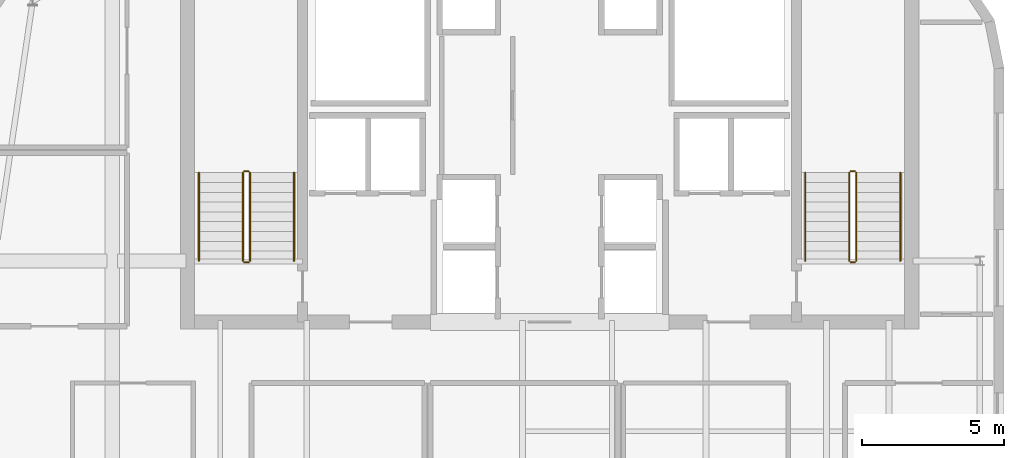
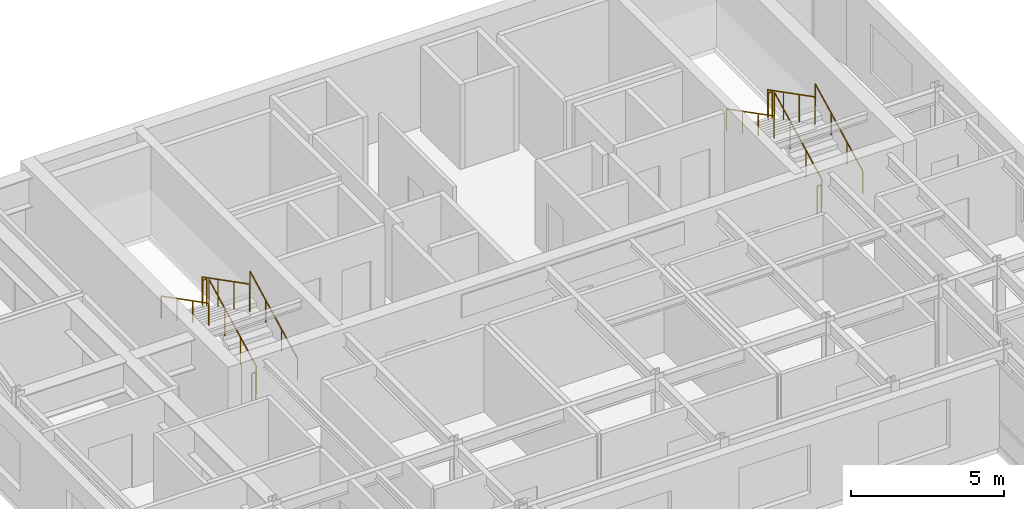
# One storey, part 18 of 18: 12 railings.
"""IFC4 building model written with IfcOpenShell, lengths in metres."""

from ifc_helpers import new_model, si_unit, direction, frame, origin, origin_2d, place, context, subcontext, project, spatial, circle, extrude, material, type_object, element, save


model = new_model("IFC4")

# Units and contexts
model_context = context("Model", 3, precision=1e-05, world=origin(), true_north=direction((0.0, 1.0)))
body_context = subcontext(model_context, "Body", "Model", "MODEL_VIEW")
ifc_project = project(units=[si_unit("LENGTHUNIT", "METRE"), si_unit("AREAUNIT", "SQUARE_METRE"), si_unit("VOLUMEUNIT", "CUBIC_METRE"), si_unit("PLANEANGLEUNIT", "RADIAN"), si_unit("MASSUNIT", "GRAM", prefix="KILO")], contexts=[model_context])

# Site, building, storey
site_placement = place(None, origin())
site = spatial("IfcSite", under=ifc_project, at=site_placement, CompositionType="ELEMENT")
building_placement = place(site_placement, origin())
building = spatial("IfcBuilding", under=site, at=building_placement, Name="Tolvann Quenvar Hotel", CompositionType="ELEMENT")
storey_placement = place(building_placement, frame((0.0, 0.0, 252.300048828125)))
storey = spatial("IfcBuildingStorey", under=building, at=storey_placement, Name="L67", CompositionType="ELEMENT", Elevation=252.300048828125)

# Railings
ifc_material = material(Name="Brushed 316 stainless steel balustrade and handrail", Category="steel")
railing_type_1 = type_object("IfcRailingType", Name="GUARDRAIL", PredefinedType="GUARDRAIL", material=ifc_material)
railing_1_placement = place(storey_placement, frame((12.449951171875, 34.0, 0.177490234375)))
element("IfcRailing", 1, at=railing_1_placement, inside=storey, type_object=railing_type_1, Name="L67 ST-C1 stair guard 1", PredefinedType="GUARDRAIL", context=body_context, shape_type="SweptSolid", body=[
    extrude(circle(Radius=0.02392578125, at=origin_2d()), frame((0.0, 0.0, 1.09619140625), z_axis=(0.0, 0.889221982265, 0.45747597342), x_axis=(-1.0, 0.0, 0.0)), (0.0, 0.0, 1.0), 3.49169921875),
    extrude(circle(Radius=0.02099609375, at=origin_2d()), origin(), (0.0, 0.0, 1.0), 1.072021484375),
    extrude(circle(Radius=0.02099609375, at=origin_2d()), frame((0.0, 1.034912109375, 0.532470703125)), (0.0, 0.0, 1.0), 1.072021484375),
    extrude(circle(Radius=0.02099609375, at=origin_2d()), frame((0.0, 2.070068359375, 1.06494140625)), (0.0, 0.0, 1.0), 1.072021484375),
    extrude(circle(Radius=0.02099609375, at=origin_2d()), frame((0.0, 3.10498046875, 1.597412109375)), (0.0, 0.0, 1.0), 1.072021484375),
])
railing_2_placement = place(storey_placement, frame((12.39990234375, 37.155029296875, 1.77490234375)))
element("IfcRailing", 2, at=railing_2_placement, inside=storey, type_object=railing_type_1, Name="L67 ST-C1 stair guard 2", PredefinedType="GUARDRAIL", context=body_context, shape_type="SweptSolid", body=[
    extrude(circle(Radius=0.02392578125, at=origin_2d()), frame((0.0, 0.0, 1.09619140625), z_axis=(-1.0, 0.0, 0.0), x_axis=(0.0, -1.0, 0.0)), (0.0, 0.0, 1.0), 0.14990234375),
    extrude(circle(Radius=0.02099609375, at=origin_2d()), origin(), (0.0, 0.0, 1.0), 1.072021484375),
    extrude(circle(Radius=0.02099609375, at=origin_2d()), frame((-0.14990234375, 0.0, 0.0)), (0.0, 0.0, 1.0), 1.072021484375),
])
railing_3_placement = place(storey_placement, frame((12.199951171875, 37.10498046875, 1.952392578125)))
element("IfcRailing", 3, at=railing_3_placement, inside=storey, type_object=railing_type_1, Name="L67 ST-C1 stair guard 3", PredefinedType="GUARDRAIL", context=body_context, shape_type="SweptSolid", body=[
    extrude(circle(Radius=0.02392578125, at=origin_2d()), frame((0.0, 0.0, 1.09619140625), z_axis=(0.0, -0.88919353882, 0.457531256332), x_axis=(1.0, 0.0, 0.0)), (0.0, 0.0, 1.0), 3.491943359375),
    extrude(circle(Radius=0.02099609375, at=origin_2d()), origin(), (0.0, 0.0, 1.0), 1.072021484375),
    extrude(circle(Radius=0.02099609375, at=origin_2d()), frame((0.0, -1.034912109375, 0.532470703125)), (0.0, 0.0, 1.0), 1.072021484375),
    extrude(circle(Radius=0.02099609375, at=origin_2d()), frame((0.0, -2.070068359375, 1.065185546875)), (0.0, 0.0, 1.0), 1.072021484375),
    extrude(circle(Radius=0.02099609375, at=origin_2d()), frame((0.0, -3.10498046875, 1.59765625)), (0.0, 0.0, 1.0), 1.072021484375),
])
railing_4_placement = place(storey_placement, frame((12.39990234375, 33.949951171875, 0.0)))
element("IfcRailing", 4, at=railing_4_placement, inside=storey, type_object=railing_type_1, Name="L67 ST-C1 stair guard 4", PredefinedType="GUARDRAIL", context=body_context, shape_type="SweptSolid", body=[
    extrude(circle(Radius=0.02392578125, at=origin_2d()), frame((0.0, 0.0, 1.09619140625), z_axis=(-1.0, 0.0, 0.0), x_axis=(0.0, -1.0, 0.0)), (0.0, 0.0, 1.0), 0.14990234375),
    extrude(circle(Radius=0.02099609375, at=origin_2d()), origin(), (0.0, 0.0, 1.0), 1.072021484375),
    extrude(circle(Radius=0.02099609375, at=origin_2d()), frame((-0.14990234375, 0.0, 0.0)), (0.0, 0.0, 1.0), 1.072021484375),
])
railing_5_placement = place(storey_placement, frame((33.800048828125, 34.0, 0.177490234375)))
element("IfcRailing", 5, at=railing_5_placement, inside=storey, type_object=railing_type_1, Name="L67 ST-C2 stair guard 1", PredefinedType="GUARDRAIL", context=body_context, shape_type="SweptSolid", body=[
    extrude(circle(Radius=0.02392578125, at=origin_2d()), frame((0.0, 0.0, 1.09619140625), z_axis=(0.0, 0.889221982265, 0.45747597342), x_axis=(-1.0, 0.0, 0.0)), (0.0, 0.0, 1.0), 3.49169921875),
    extrude(circle(Radius=0.02099609375, at=origin_2d()), origin(), (0.0, 0.0, 1.0), 1.072021484375),
    extrude(circle(Radius=0.02099609375, at=origin_2d()), frame((0.0, 1.034912109375, 0.532470703125)), (0.0, 0.0, 1.0), 1.072021484375),
    extrude(circle(Radius=0.02099609375, at=origin_2d()), frame((0.0, 2.070068359375, 1.06494140625)), (0.0, 0.0, 1.0), 1.072021484375),
    extrude(circle(Radius=0.02099609375, at=origin_2d()), frame((0.0, 3.10498046875, 1.597412109375)), (0.0, 0.0, 1.0), 1.072021484375),
])
railing_6_placement = place(storey_placement, frame((33.75, 37.155029296875, 1.77490234375)))
element("IfcRailing", 6, at=railing_6_placement, inside=storey, type_object=railing_type_1, Name="L67 ST-C2 stair guard 2", PredefinedType="GUARDRAIL", context=body_context, shape_type="SweptSolid", body=[
    extrude(circle(Radius=0.02392578125, at=origin_2d()), frame((0.0, 0.0, 1.09619140625), z_axis=(-1.0, 0.0, 0.0), x_axis=(0.0, -1.0, 0.0)), (0.0, 0.0, 1.0), 0.14990234375),
    extrude(circle(Radius=0.02099609375, at=origin_2d()), origin(), (0.0, 0.0, 1.0), 1.072021484375),
    extrude(circle(Radius=0.02099609375, at=origin_2d()), frame((-0.14990234375, 0.0, 0.0)), (0.0, 0.0, 1.0), 1.072021484375),
])
railing_7_placement = place(storey_placement, frame((33.550048828125, 37.10498046875, 1.952392578125)))
element("IfcRailing", 7, at=railing_7_placement, inside=storey, type_object=railing_type_1, Name="L67 ST-C2 stair guard 3", PredefinedType="GUARDRAIL", context=body_context, shape_type="SweptSolid", body=[
    extrude(circle(Radius=0.02392578125, at=origin_2d()), frame((0.0, 0.0, 1.09619140625), z_axis=(0.0, -0.88919353882, 0.457531256332), x_axis=(1.0, 0.0, 0.0)), (0.0, 0.0, 1.0), 3.491943359375),
    extrude(circle(Radius=0.02099609375, at=origin_2d()), origin(), (0.0, 0.0, 1.0), 1.072021484375),
    extrude(circle(Radius=0.02099609375, at=origin_2d()), frame((0.0, -1.034912109375, 0.532470703125)), (0.0, 0.0, 1.0), 1.072021484375),
    extrude(circle(Radius=0.02099609375, at=origin_2d()), frame((0.0, -2.070068359375, 1.065185546875)), (0.0, 0.0, 1.0), 1.072021484375),
    extrude(circle(Radius=0.02099609375, at=origin_2d()), frame((0.0, -3.10498046875, 1.59765625)), (0.0, 0.0, 1.0), 1.072021484375),
])
railing_8_placement = place(storey_placement, frame((33.75, 33.949951171875, 0.0)))
element("IfcRailing", 8, at=railing_8_placement, inside=storey, type_object=railing_type_1, Name="L67 ST-C2 stair guard 4", PredefinedType="GUARDRAIL", context=body_context, shape_type="SweptSolid", body=[
    extrude(circle(Radius=0.02392578125, at=origin_2d()), frame((0.0, 0.0, 1.09619140625), z_axis=(-1.0, 0.0, 0.0), x_axis=(0.0, -1.0, 0.0)), (0.0, 0.0, 1.0), 0.14990234375),
    extrude(circle(Radius=0.02099609375, at=origin_2d()), origin(), (0.0, 0.0, 1.0), 1.072021484375),
    extrude(circle(Radius=0.02099609375, at=origin_2d()), frame((-0.14990234375, 0.0, 0.0)), (0.0, 0.0, 1.0), 1.072021484375),
])
railing_type_2 = type_object("IfcRailingType", Name="HANDRAIL", PredefinedType="HANDRAIL", material=ifc_material)
railing_9_placement = place(storey_placement, frame((14.0, 34.0, 0.177490234375)))
element("IfcRailing", 9, at=railing_9_placement, inside=storey, type_object=railing_type_2, Name="L67 ST-C1 stair handrail 1", PredefinedType="HANDRAIL", context=body_context, shape_type="SweptSolid", body=[
    extrude(circle(Radius=0.02392578125, at=origin_2d()), frame((0.0, 0.0, 0.8759765625), z_axis=(0.0, 0.889221982265, 0.45747597342), x_axis=(-1.0, 0.0, 0.0)), (0.0, 0.0, 1.0), 3.49169921875),
    extrude(circle(Radius=0.02099609375, at=origin_2d()), origin(), (0.0, 0.0, 1.0), 0.851806640625),
    extrude(circle(Radius=0.02099609375, at=origin_2d()), frame((0.0, 1.034912109375, 0.532470703125)), (0.0, 0.0, 1.0), 0.851806640625),
    extrude(circle(Radius=0.02099609375, at=origin_2d()), frame((0.0, 2.070068359375, 1.06494140625)), (0.0, 0.0, 1.0), 0.851806640625),
    extrude(circle(Radius=0.02099609375, at=origin_2d()), frame((0.0, 3.10498046875, 1.597412109375)), (0.0, 0.0, 1.0), 0.851806640625),
])
railing_10_placement = place(storey_placement, frame((10.64990234375, 37.10498046875, 1.952392578125)))
element("IfcRailing", 10, at=railing_10_placement, inside=storey, type_object=railing_type_2, Name="L67 ST-C1 stair handrail 2", PredefinedType="HANDRAIL", context=body_context, shape_type="SweptSolid", body=[
    extrude(circle(Radius=0.02392578125, at=origin_2d()), frame((0.0, 0.0, 0.8759765625), z_axis=(0.0, -0.88919353882, 0.457531256332), x_axis=(1.0, 0.0, 0.0)), (0.0, 0.0, 1.0), 3.491943359375),
    extrude(circle(Radius=0.02099609375, at=origin_2d()), origin(), (0.0, 0.0, 1.0), 0.851806640625),
    extrude(circle(Radius=0.02099609375, at=origin_2d()), frame((0.0, -1.034912109375, 0.532470703125)), (0.0, 0.0, 1.0), 0.851806640625),
    extrude(circle(Radius=0.02099609375, at=origin_2d()), frame((0.0, -2.070068359375, 1.065185546875)), (0.0, 0.0, 1.0), 0.851806640625),
    extrude(circle(Radius=0.02099609375, at=origin_2d()), frame((0.0, -3.10498046875, 1.59765625)), (0.0, 0.0, 1.0), 0.851806640625),
])
railing_11_placement = place(storey_placement, frame((35.35009765625, 34.0, 0.177490234375)))
element("IfcRailing", 11, at=railing_11_placement, inside=storey, type_object=railing_type_2, Name="L67 ST-C2 stair handrail 1", PredefinedType="HANDRAIL", context=body_context, shape_type="SweptSolid", body=[
    extrude(circle(Radius=0.02392578125, at=origin_2d()), frame((0.0, 0.0, 0.8759765625), z_axis=(0.0, 0.889221982265, 0.45747597342), x_axis=(-1.0, 0.0, 0.0)), (0.0, 0.0, 1.0), 3.49169921875),
    extrude(circle(Radius=0.02099609375, at=origin_2d()), origin(), (0.0, 0.0, 1.0), 0.851806640625),
    extrude(circle(Radius=0.02099609375, at=origin_2d()), frame((0.0, 1.034912109375, 0.532470703125)), (0.0, 0.0, 1.0), 0.851806640625),
    extrude(circle(Radius=0.02099609375, at=origin_2d()), frame((0.0, 2.070068359375, 1.06494140625)), (0.0, 0.0, 1.0), 0.851806640625),
    extrude(circle(Radius=0.02099609375, at=origin_2d()), frame((0.0, 3.10498046875, 1.597412109375)), (0.0, 0.0, 1.0), 0.851806640625),
])
railing_12_placement = place(storey_placement, frame((32.0, 37.10498046875, 1.952392578125)))
element("IfcRailing", 12, at=railing_12_placement, inside=storey, type_object=railing_type_2, Name="L67 ST-C2 stair handrail 2", PredefinedType="HANDRAIL", context=body_context, shape_type="SweptSolid", body=[
    extrude(circle(Radius=0.02392578125, at=origin_2d()), frame((0.0, 0.0, 0.8759765625), z_axis=(0.0, -0.88919353882, 0.457531256332), x_axis=(1.0, 0.0, 0.0)), (0.0, 0.0, 1.0), 3.491943359375),
    extrude(circle(Radius=0.02099609375, at=origin_2d()), origin(), (0.0, 0.0, 1.0), 0.851806640625),
    extrude(circle(Radius=0.02099609375, at=origin_2d()), frame((0.0, -1.034912109375, 0.532470703125)), (0.0, 0.0, 1.0), 0.851806640625),
    extrude(circle(Radius=0.02099609375, at=origin_2d()), frame((0.0, -2.070068359375, 1.065185546875)), (0.0, 0.0, 1.0), 0.851806640625),
    extrude(circle(Radius=0.02099609375, at=origin_2d()), frame((0.0, -3.10498046875, 1.59765625)), (0.0, 0.0, 1.0), 0.851806640625),
])

save(model, "model.ifc")
